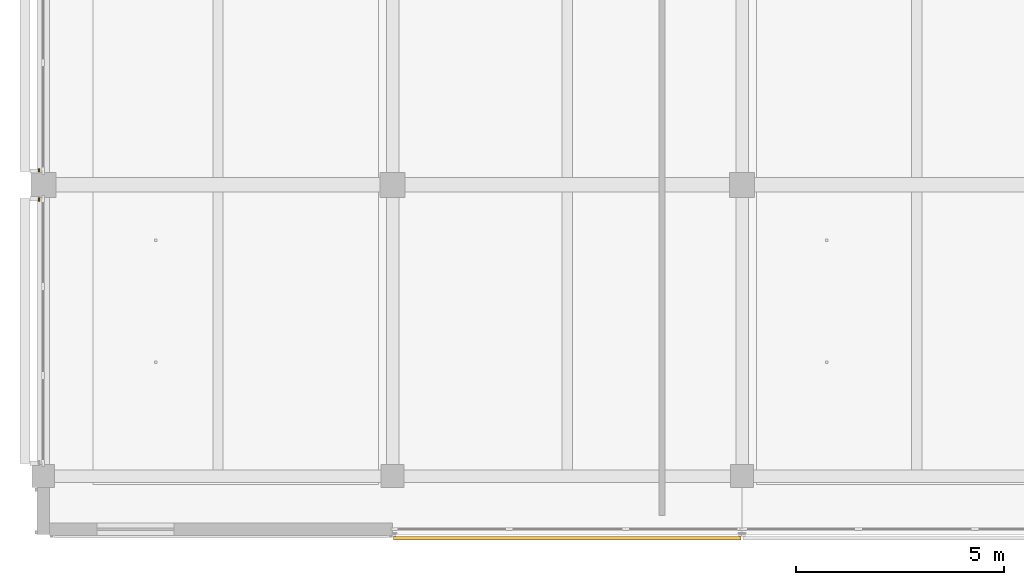
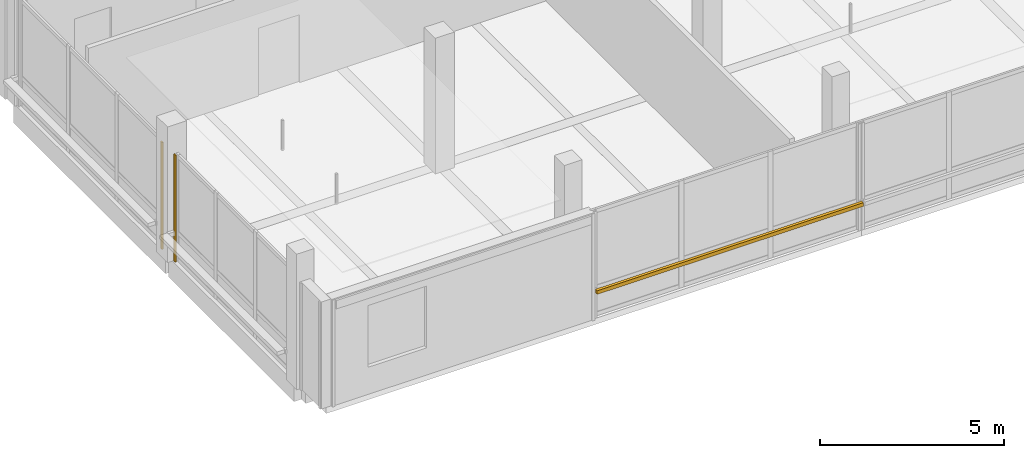
# One storey, part 15 of 25: 2 coverings, 1 shading device.
"""IFC4 building model written with IfcOpenShell, lengths in metres."""

from ifc_helpers import new_model, si_unit, direction, frame, origin, origin_2d, place, context, subcontext, project, spatial, rectangle, extrude, material, layer, layer_set, type_object, element, save


model = new_model("IFC4")

# Units and contexts
model_context = context("Model", 3, precision=1e-05, world=origin(), true_north=direction((0.0, 1.0)))
body_context = subcontext(model_context, "Body", "Model", "MODEL_VIEW")
ifc_project = project(units=[si_unit("LENGTHUNIT", "METRE"), si_unit("AREAUNIT", "SQUARE_METRE"), si_unit("VOLUMEUNIT", "CUBIC_METRE"), si_unit("PLANEANGLEUNIT", "RADIAN"), si_unit("MASSUNIT", "GRAM", prefix="KILO")], contexts=[model_context])

# Site, building, storey
site_placement = place(None, origin())
site = spatial("IfcSite", under=ifc_project, at=site_placement, CompositionType="ELEMENT")
building_placement = place(site_placement, origin())
building = spatial("IfcBuilding", under=site, at=building_placement, Name="Telukmera Botanical Conservatory", CompositionType="ELEMENT")
storey_placement = place(building_placement, frame((0.0, 0.0, 64.5)))
storey = spatial("IfcBuildingStorey", under=building, at=storey_placement, Name="L14", CompositionType="ELEMENT", Elevation=64.5)

# Coverings
ifc_material_1 = material(Name="Granite-faced precast concrete C40/50", Category="masonry")
ifc_layer_1 = layer(ifc_material_1, 0.0400390625)
ifc_layer_set_1 = layer_set([ifc_layer_1], Name="Granite-faced precast concrete C40/50")
covering_type = type_object("IfcCoveringType", Name="Granite Precast Column Pier Reveal Casing", PredefinedType="CLADDING", material=ifc_layer_set_1)
for number, where, z_axis, x_axis, name in (
    (1, (58.699951171875, 17.248046875, 0.0), (0.0, 0.0, 1.0), (0.0, 1.0, 0.0), "Granite Pier Reveal V4:L14:W1 R"),
    (2, (58.699951171875, 17.951904296875, 0.0), (0.0, 0.0, 1.0), (0.0, 1.0, 0.0), "Granite Pier Reveal V4:L14:W2 L"),
):
    element("IfcCovering", number, at=place(storey_placement, frame(where, z_axis=z_axis, x_axis=x_axis)), inside=storey, type_object=covering_type, Name=name, PredefinedType="CLADDING", context=body_context, shape_type="SweptSolid", body=[
        extrude(rectangle(XDim=0.080078125, YDim=0.0400390625, at=origin_2d()), origin(), (0.0, 0.0, 1.0), 3.550048828125),
    ])

# Shading device
ifc_material_2 = material(Name="Perforated terracotta-anodised aluminium 6063-T6", Category="masonry")
ifc_layer_2 = layer(ifc_material_2, 0.044921875)
ifc_layer_set_2 = layer_set([ifc_layer_2], Name="Perforated terracotta-anodised aluminium 6063-T6")
shading_device_type = type_object("IfcShadingDeviceType", Name="Perforated Terracotta Aluminium Monsoon Brise Soleil", PredefinedType="JALOUSIE", material=ifc_layer_set_2)
shading_device_placement = place(storey_placement, frame((71.39990234375, 9.10498046875, 0.889892578125), z_axis=(0.0, 0.0, 1.0), x_axis=(1.0, 0.0, 0.0)))
element("IfcShadingDevice", 3, at=shading_device_placement, inside=storey, type_object=shading_device_type, Name="Monsoon Shading BS01 V4:L14:S2", PredefinedType="JALOUSIE", context=body_context, shape_type="SweptSolid", body=[
    extrude(rectangle(XDim=8.35595703125, YDim=0.090087890625, at=origin_2d()), origin(), (0.0, 0.0, 1.0), 0.1201171875),
])

save(model, "model.ifc")
